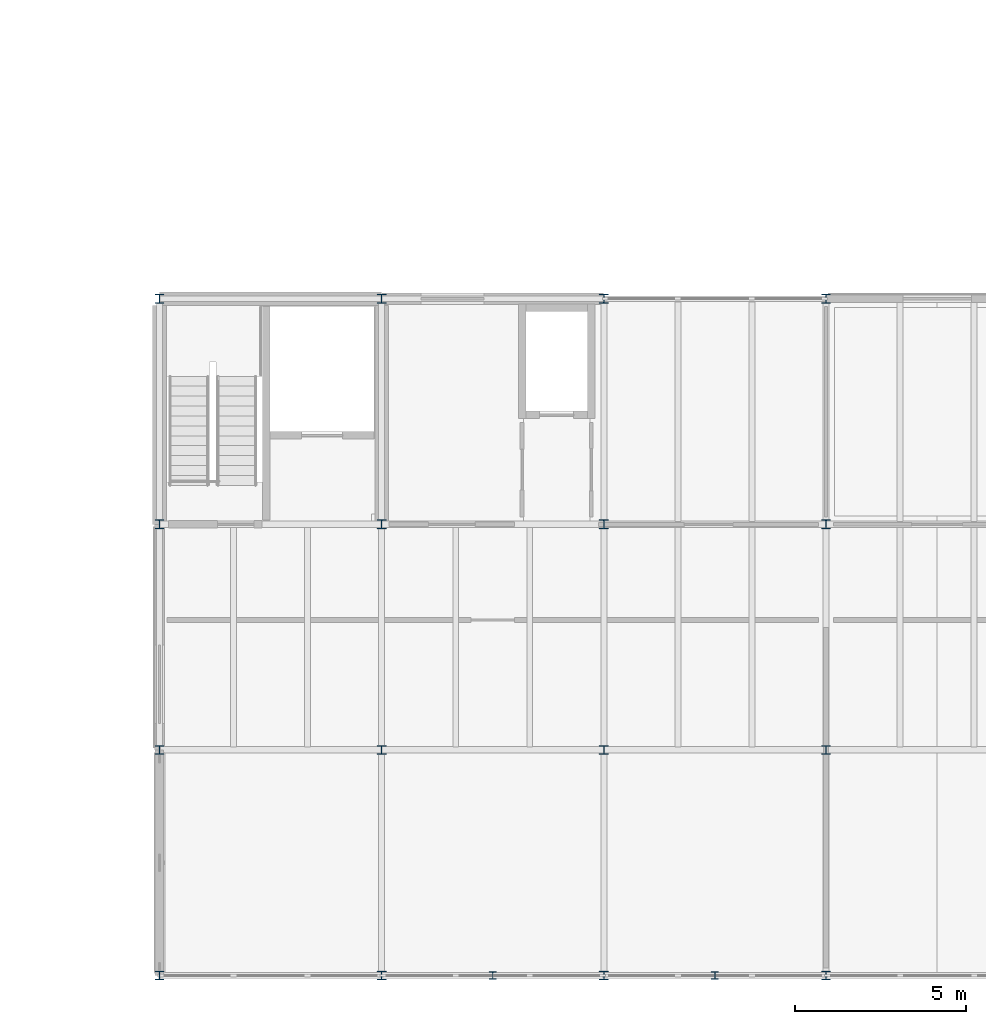
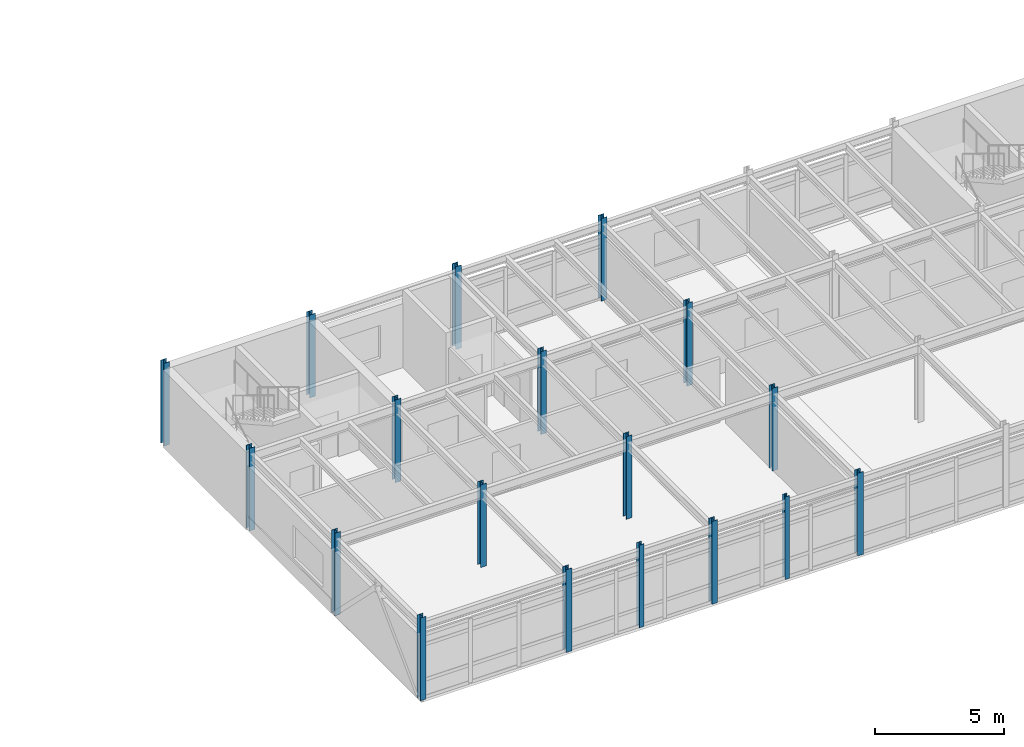
# One storey, part 1 of 26: 18 columns.
"""IFC4 building model written with IfcOpenShell, lengths in metres."""

from ifc_helpers import new_model, si_unit, direction, frame, origin, origin_2d, place, context, subcontext, project, spatial, i_section, extrude, material, material_profile, profile_set, type_object, element, save


model = new_model("IFC4")

# Units and contexts
model_context = context("Model", 3, precision=1e-05, world=origin(), true_north=direction((0.0, 1.0)))
body_context = subcontext(model_context, "Body", "Model", "MODEL_VIEW")
ifc_project = project(units=[si_unit("LENGTHUNIT", "METRE"), si_unit("AREAUNIT", "SQUARE_METRE"), si_unit("VOLUMEUNIT", "CUBIC_METRE"), si_unit("PLANEANGLEUNIT", "RADIAN"), si_unit("MASSUNIT", "GRAM", prefix="KILO")], contexts=[model_context])

# Site, building, storey
site_placement = place(None, origin())
site = spatial("IfcSite", under=ifc_project, at=site_placement, CompositionType="ELEMENT")
building_placement = place(site_placement, origin())
building = spatial("IfcBuilding", under=site, at=building_placement, Name="Trelmorton Wharf Fire Station", CompositionType="ELEMENT")
storey_placement = place(building_placement, frame((0.0, 0.0, 17.39990234375)))
storey = spatial("IfcBuildingStorey", under=building, at=storey_placement, Name="L04", CompositionType="ELEMENT", Elevation=17.39990234375)

# Columns
ifc_material = material(Name="Steel Grade 350", Category="steel")
ifc_material_profile_1 = material_profile(ifc_material, i_section(OverallWidth=0.256103515625, OverallDepth=0.260009765625, WebThickness=0.010498046875, FlangeThickness=0.017333984375, FilletRadius=0.0126953125, at=origin_2d()), Name="250UC89.5")
ifc_profile_set_1 = profile_set([ifc_material_profile_1], Name="Steel Grade 350")
column_type_1 = type_object("IfcColumnType", Name="COL_250UC89", PredefinedType="COLUMN", material=ifc_profile_set_1)
for number, where, z_axis, x_axis, name in (
    (1, (110.5, 7.800048828125, 0.0), (0.0, 0.0, 1.0), (1.0, 0.0, 0.0), "COL-L04-0712"),
    (2, (110.5, 14.39990234375, 0.0), (0.0, 0.0, 1.0), (1.0, 0.0, 0.0), "COL-L04-0713"),
    (3, (110.5, 21.0, 0.0), (0.0, 0.0, 1.0), (1.0, 0.0, 0.0), "COL-L04-0714"),
    (4, (110.5, 27.60009765625, 0.0), (0.0, 0.0, 1.0), (1.0, 0.0, 0.0), "COL-L04-0715"),
    (5, (117.0, 7.800048828125, 0.0), (0.0, 0.0, 1.0), (1.0, 0.0, 0.0), "COL-L04-0719"),
    (6, (117.0, 14.39990234375, 0.0), (0.0, 0.0, 1.0), (1.0, 0.0, 0.0), "COL-L04-0720"),
    (7, (117.0, 21.0, 0.0), (0.0, 0.0, 1.0), (1.0, 0.0, 0.0), "COL-L04-0721"),
    (8, (117.0, 27.60009765625, 0.0), (0.0, 0.0, 1.0), (1.0, 0.0, 0.0), "COL-L04-0722"),
    (9, (123.5, 7.800048828125, 0.0), (0.0, 0.0, 1.0), (1.0, 0.0, 0.0), "COL-L04-0726"),
    (10, (123.5, 14.39990234375, 0.0), (0.0, 0.0, 1.0), (1.0, 0.0, 0.0), "COL-L04-0727"),
    (11, (123.5, 21.0, 0.0), (0.0, 0.0, 1.0), (1.0, 0.0, 0.0), "COL-L04-0728"),
    (12, (123.5, 27.60009765625, 0.0), (0.0, 0.0, 1.0), (1.0, 0.0, 0.0), "COL-L04-0729"),
    (13, (130.0, 7.800048828125, 0.0), (0.0, 0.0, 1.0), (1.0, 0.0, 0.0), "COL-L04-0730"),
    (14, (130.0, 14.39990234375, 0.0), (0.0, 0.0, 1.0), (1.0, 0.0, 0.0), "COL-L04-0731"),
    (15, (130.0, 21.0, 0.0), (0.0, 0.0, 1.0), (1.0, 0.0, 0.0), "COL-L04-0732"),
    (16, (130.0, 27.60009765625, 0.0), (0.0, 0.0, 1.0), (1.0, 0.0, 0.0), "COL-L04-0733"),
):
    element("IfcColumn", number, at=place(storey_placement, frame(where, z_axis=z_axis, x_axis=x_axis)), inside=storey, type_object=column_type_1, Name=name, PredefinedType="COLUMN", context=body_context, shape_type="SweptSolid", body=[
        extrude(i_section(OverallWidth=0.256103515625, OverallDepth=0.260009765625, WebThickness=0.010498046875, FlangeThickness=0.017333984375, FilletRadius=0.0126953125, at=origin_2d()), origin(), (0.0, 0.0, 1.0), 3.900146484375),
    ])
ifc_material_profile_2 = material_profile(ifc_material, i_section(OverallWidth=0.205078125, OverallDepth=0.2099609375, WebThickness=0.00927734375, FlangeThickness=0.01416015625, FilletRadius=0.011474609375, at=origin_2d()), Name="200UC59.5")
ifc_profile_set_2 = profile_set([ifc_material_profile_2], Name="Steel Grade 350")
column_type_2 = type_object("IfcColumnType", Name="PIL_200UC60", PredefinedType="PILASTER", material=ifc_profile_set_2)
for number, where, z_axis, x_axis, name in (
    (17, (120.25, 7.800048828125, 0.0), (0.0, 0.0, 1.0), (1.0, 0.0, 0.0), "PIL-S-L04-008"),
    (18, (126.75, 7.800048828125, 0.0), (0.0, 0.0, 1.0), (1.0, 0.0, 0.0), "PIL-S-L04-016"),
):
    element("IfcColumn", number, at=place(storey_placement, frame(where, z_axis=z_axis, x_axis=x_axis)), inside=storey, type_object=column_type_2, Name=name, PredefinedType="PILASTER", context=body_context, shape_type="SweptSolid", body=[
        extrude(i_section(OverallWidth=0.205078125, OverallDepth=0.2099609375, WebThickness=0.00927734375, FlangeThickness=0.01416015625, FilletRadius=0.011474609375, at=origin_2d()), origin(), (0.0, 0.0, 1.0), 3.900146484375),
    ])

save(model, "model.ifc")
